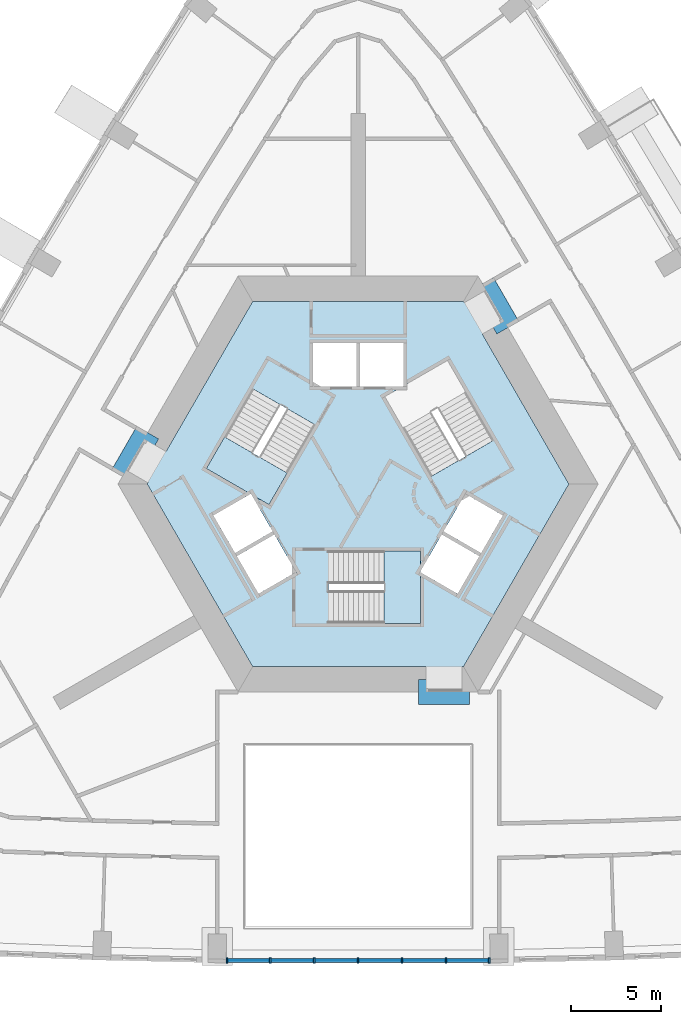
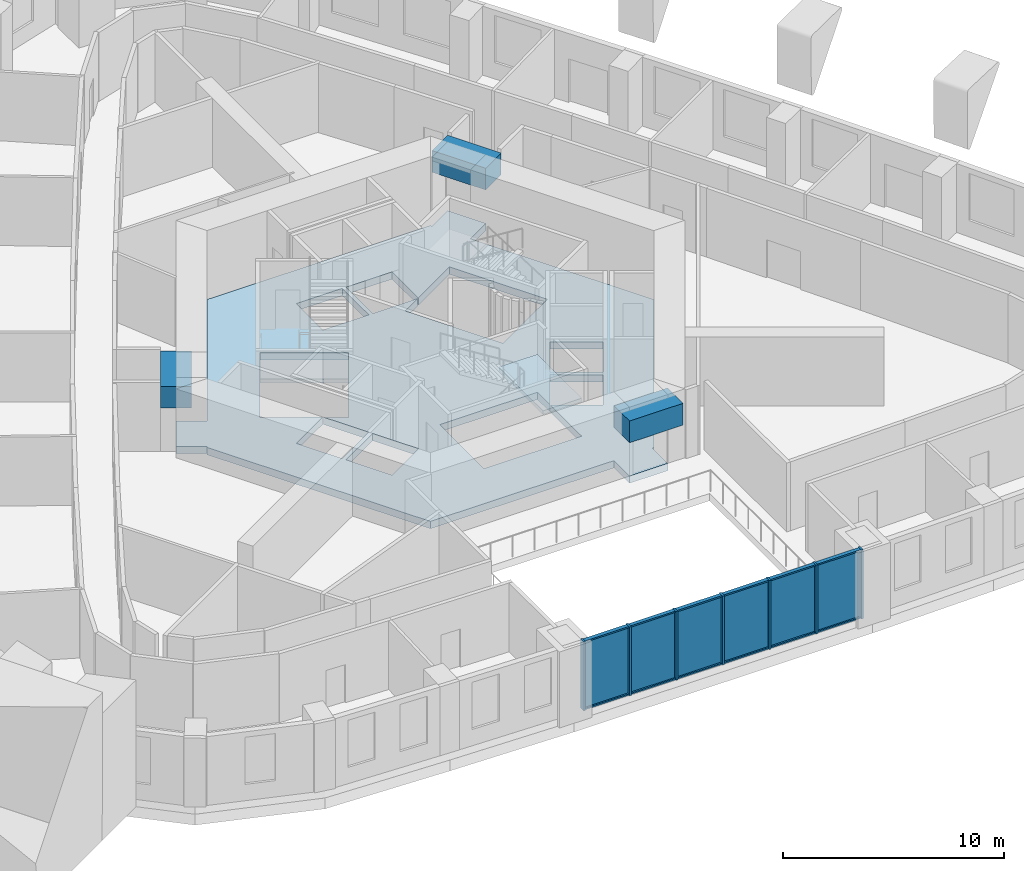
# One storey, part 2 of 13: 19 members, 6 plates, 3 beams, 3 slabs, 3 elements without a shape of their own.
"""IFC4 building model written with IfcOpenShell, lengths in metres."""

import ifcopenshell
import ifcopenshell.guid

model = None  # the IFC model being written
_history = None  # IfcOwnerHistory: only IFC2X3 demands one
_inside = {}  # id of a spatial element -> (the spatial element, [elements in it])
_under = {}  # id of a project, library or spatial element -> (it, [spatial elements below it])
_declared = {}  # id of a project -> (the project, [libraries it declares])
_typed = {}  # id of a type object -> (the type object, [elements of that type])
_made_of = {}  # id of a material, layer set ... -> (it, [elements and type objects made of it])


def new_model(schema):
    """Start an empty IFC model of exactly this schema.

    Asked for "IFC4X3", IfcOpenShell would pick the latest addendum, in which some entities
    have other attributes; the version numbers below select the first issue.
    IFC2X3 requires an IfcOwnerHistory on every rooted entity: one is made here for all.
    """
    global model, _history
    if schema == "IFC4X3":
        model = ifcopenshell.file(schema_version=(4, 3, 0, 0))
    else:
        model = ifcopenshell.file(schema=schema)
    _inside.clear()
    _under.clear()
    _declared.clear()
    _typed.clear()
    _made_of.clear()
    _history = None
    if model.schema == "IFC2X3":
        org = make("IfcOrganization", Name="unknown")
        user = make(
            "IfcPersonAndOrganization",
            ThePerson=make("IfcPerson", FamilyName="unknown"),
            TheOrganization=org,
        )
        app = make(
            "IfcApplication",
            ApplicationDeveloper=org,
            Version="unknown",
            ApplicationFullName="unknown",
            ApplicationIdentifier="unknown",
        )
        _history = make(
            "IfcOwnerHistory",
            OwningUser=user,
            OwningApplication=app,
            ChangeAction="ADDED",
            CreationDate=0,
        )
    return model


def make(cls, **values):
    """One entity of the class cls with the attributes given. An attribute that is None is left unset."""
    return model.create_entity(
        cls, **{name: value for name, value in values.items() if value is not None}
    )


def rooted(cls, **values):
    """An entity with a GlobalId (a new one), such as an element, a storey or a relation."""
    return make(cls, GlobalId=ifcopenshell.guid.new(), OwnerHistory=_history, **values)


def si_unit(unit_type, name, prefix=None):
    """IfcSIUnit, for example si_unit("LENGTHUNIT", "METRE", prefix="MILLI")."""
    return make("IfcSIUnit", UnitType=unit_type, Prefix=prefix, Name=name)


def assignment(units):
    """IfcUnitAssignment: the units of a project."""
    return None if units is None else make("IfcUnitAssignment", Units=units)


def point(xyz):
    """IfcCartesianPoint."""
    return None if xyz is None else make("IfcCartesianPoint", Coordinates=xyz)


def direction(xyz):
    """IfcDirection."""
    return None if xyz is None else make("IfcDirection", DirectionRatios=xyz)


def frame(location, z_axis=None, x_axis=None):
    """IfcAxis2Placement3D, a coordinate frame: its origin and axes. An axis left out is left unset."""
    return make(
        "IfcAxis2Placement3D",
        Location=point(location),
        Axis=direction(z_axis),
        RefDirection=direction(x_axis),
    )


def frame_2d(location, x_axis=None):
    """IfcAxis2Placement2D, a coordinate frame in the plane: its origin and x axis."""
    return make(
        "IfcAxis2Placement2D", Location=point(location), RefDirection=direction(x_axis)
    )


def origin():
    """The frame at (0, 0, 0) with its axes left unset."""
    return frame((0.0, 0.0, 0.0))


def origin_2d():
    """The frame at (0, 0) in the plane with its x axis left unset."""
    return frame_2d((0.0, 0.0))


def place(relative_to, where):
    """IfcLocalPlacement: puts the frame where relative to a parent placement (None: the world)."""
    return make(
        "IfcLocalPlacement", PlacementRelTo=relative_to, RelativePlacement=where
    )


def context(
    kind, dimensions, precision=None, world=None, true_north=None, identifier=None
):
    """IfcGeometricRepresentationContext, for example the 3D "Model" context."""
    return make(
        "IfcGeometricRepresentationContext",
        ContextIdentifier=identifier,
        ContextType=kind,
        CoordinateSpaceDimension=dimensions,
        Precision=precision,
        WorldCoordinateSystem=world,
        TrueNorth=true_north,
    )


def subcontext(parent, identifier, kind, view, scale=None):
    """IfcGeometricRepresentationSubContext, for example "Body" below "Model"."""
    return make(
        "IfcGeometricRepresentationSubContext",
        ContextIdentifier=identifier,
        ContextType=kind,
        ParentContext=parent,
        TargetScale=scale,
        TargetView=view,
    )


def project(units=None, contexts=None):
    """IfcProject with its units and contexts."""
    return rooted(
        "IfcProject",
        Name="project",
        RepresentationContexts=contexts,
        UnitsInContext=assignment(units),
    )


def spatial(cls, under=None, at=None, **own):
    """A site, building, storey or space (cls), placed at a placement, below another one or the project."""
    s = rooted(cls, ObjectPlacement=at, **own)
    if under is not None:
        _under.setdefault(under.id(), (under, []))[1].append(s)
    return s


def polyline(points):
    """IfcPolyline through the points."""
    return make("IfcPolyline", Points=[point(p) for p in points])


def profile(cls, at=None, kind="AREA", **sizes):
    """A parametric profile (cls). Its sizes go by their IFC names, for example OverallWidth=200.0."""
    return make(cls, ProfileType=kind, Position=at, **sizes)


def rectangle(**sizes):
    """IfcRectangleProfileDef."""
    return profile("IfcRectangleProfileDef", **sizes)


def outline(outer, holes=None, kind="AREA"):
    """IfcArbitraryClosedProfileDef: a profile drawn as a closed curve; with holes, ...WithVoids."""
    if holes is None:
        return make("IfcArbitraryClosedProfileDef", ProfileType=kind, OuterCurve=outer)
    return make(
        "IfcArbitraryProfileDefWithVoids",
        ProfileType=kind,
        OuterCurve=outer,
        InnerCurves=holes,
    )


def extrude(swept, where, along, depth):
    """IfcExtrudedAreaSolid: the profile swept, set in the frame where, extruded along a direction by depth."""
    return make(
        "IfcExtrudedAreaSolid",
        SweptArea=swept,
        Position=where,
        ExtrudedDirection=direction(along),
        Depth=depth,
    )


def shape(context_of_items, identifier, shape_type, items):
    """IfcShapeRepresentation: the items that make up one representation, for example the "Body"."""
    return make(
        "IfcShapeRepresentation",
        ContextOfItems=context_of_items,
        RepresentationIdentifier=identifier,
        RepresentationType=shape_type,
        Items=items,
    )


def material(Name=None, Category=None):
    """IfcMaterial."""
    return make("IfcMaterial", Name=Name, Category=Category)


def layer(
    of_material, thickness, ventilated=None, Name=None, Category=None, Priority=None
):
    """IfcMaterialLayer: one layer of a wall or slab, of a material (None: an air gap)."""
    return make(
        "IfcMaterialLayer",
        Material=of_material,
        LayerThickness=thickness,
        IsVentilated=ventilated,
        Name=Name,
        Category=Category,
        Priority=Priority,
    )


def layer_set(layers, Name=None):
    """IfcMaterialLayerSet."""
    return make("IfcMaterialLayerSet", MaterialLayers=layers, LayerSetName=Name)


def material_profile(
    of_material, cross_section, Name=None, Category=None, Priority=None
):
    """IfcMaterialProfile: a cross section and its material."""
    return make(
        "IfcMaterialProfile",
        Name=Name,
        Material=of_material,
        Profile=cross_section,
        Priority=Priority,
        Category=Category,
    )


def profile_set(profiles, Name=None, composite=None):
    """IfcMaterialProfileSet."""
    return make(
        "IfcMaterialProfileSet",
        Name=Name,
        MaterialProfiles=profiles,
        CompositeProfile=composite,
    )


def made_of(thing, what):
    """Note that an element or type object is made of a material, layer set ...; save() writes the relation."""
    if what is not None:
        _made_of.setdefault(what.id(), (what, []))[1].append(thing)
    return thing


def type_object(cls, material=None, **own):
    """A type object (cls), such as IfcWallType, which elements share."""
    return made_of(rooted(cls, **own), material)


def element(
    cls,
    number,
    at=None,
    inside=None,
    cuts=None,
    type_object=None,
    material=None,
    context=None,
    identifier="Body",
    shape_type=None,
    held_by="IfcProductDefinitionShape",
    body=None,
    shapes=None,
    **own,
):
    """One element of the class cls, such as IfcWall. Its Tag is "e" and its number.

    at: its placement. inside: the storey or other place that contains it. cuts: it is an
    opening in that element (IfcRelVoidsElement). A single representation is given by context,
    identifier, shape_type and body (its items); several are given by shapes. held_by: the class
    of the entity that holds the representations. save() writes the other relations.
    """
    e = rooted(cls, Tag="e%d" % number, ObjectPlacement=at, **own)
    if body is not None:
        shapes = [shape(context, identifier, shape_type, body)]
    if shapes is not None:
        e.Representation = make(held_by, Representations=shapes)
    if inside is not None:
        _inside.setdefault(inside.id(), (inside, []))[1].append(e)
    if cuts is not None:
        rooted(
            "IfcRelVoidsElement", RelatingBuildingElement=cuts, RelatedOpeningElement=e
        )
    if type_object is not None:
        _typed.setdefault(type_object.id(), (type_object, []))[1].append(e)
    return made_of(e, material)


def aggregate(whole, parts):
    """IfcRelAggregates: a whole, such as a stair, and the parts it consists of."""
    return rooted("IfcRelAggregates", RelatingObject=whole, RelatedObjects=parts)


def save(model, path):
    """Write the relations noted so far, then the file.

    IfcRelAggregates (storeys below a building ...), IfcRelContainedInSpatialStructure (elements
    in a storey), IfcRelDefinesByType, IfcRelAssociatesMaterial and IfcRelDeclares: one each for
    every whole, place, type object, material and project.
    """
    for whole, parts in _under.values():
        aggregate(whole, parts)
    for where, things in _inside.values():
        rooted(
            "IfcRelContainedInSpatialStructure",
            RelatedElements=things,
            RelatingStructure=where,
        )
    for kind, things in _typed.values():
        rooted("IfcRelDefinesByType", RelatedObjects=things, RelatingType=kind)
    for what, things in _made_of.values():
        rooted("IfcRelAssociatesMaterial", RelatedObjects=things, RelatingMaterial=what)
    for by, libraries in _declared.values():
        rooted("IfcRelDeclares", RelatingContext=by, RelatedDefinitions=libraries)
    model.write(path)


model = new_model("IFC4")

# Units and contexts
model_context = context("Model", 3, precision=1e-05, world=origin(), true_north=direction((0.0, 1.0)))
body_context = subcontext(model_context, "Body", "Model", "MODEL_VIEW")
ifc_project = project(units=[si_unit("LENGTHUNIT", "METRE"), si_unit("AREAUNIT", "SQUARE_METRE"), si_unit("VOLUMEUNIT", "CUBIC_METRE"), si_unit("PLANEANGLEUNIT", "RADIAN"), si_unit("MASSUNIT", "GRAM", prefix="KILO")], contexts=[model_context])

# Site, building, storey
site_placement = place(None, origin())
site = spatial("IfcSite", under=ifc_project, at=site_placement, CompositionType="ELEMENT")
building_placement = place(site_placement, origin())
building = spatial("IfcBuilding", under=site, at=building_placement, Name="Entoto Arch Interchange Tower", CompositionType="ELEMENT")
storey_placement = place(building_placement, frame((0.0, 0.0, 227.60009765625)))
storey = spatial("IfcBuildingStorey", under=building, at=storey_placement, Name="L51", CompositionType="ELEMENT", Elevation=227.60009765625)

# Beams
ifc_material_1 = material(Name="Concrete C50/60", Category="concrete")
ifc_material_profile_1 = material_profile(ifc_material_1, rectangle(XDim=1.39990234375, YDim=1.199951171875, at=origin_2d()))
ifc_profile_set_1 = profile_set([ifc_material_profile_1], Name="Concrete C50/60")
beam_type = type_object("IfcBeamType", Name="Coupling beam RC 1400x1200 C50/60", PredefinedType="BEAM", material=ifc_profile_set_1)
for number, where, z_axis, x_axis, name in (
    (1, (8.283935546875, 11.152099609375, 3.0), (-0.500135180047, 0.865947343479, 0.0), (-0.865947343479, -0.500135180047, 0.0), "Coupling beam NE L51"),
    (2, (-11.634033203125, 5.347900390625, 3.0), (-0.500135180047, -0.865947343479, 0.0), (0.865947343479, -0.500135180047, 0.0), "Coupling beam NW L51"),
):
    element("IfcBeam", number, at=place(storey_placement, frame(where, z_axis=z_axis, x_axis=x_axis)), inside=storey, type_object=beam_type, Name=name, PredefinedType="BEAM", context=body_context, shape_type="SweptSolid", body=[
        extrude(rectangle(XDim=1.39990234375, YDim=1.199951171875, at=origin_2d()), origin(), (0.0, 0.0, 1.0), 2.799072265625),
    ])
beam_placement = place(storey_placement, frame((3.35009765625, -9.0, 3.0), z_axis=(1.0, 0.0, 0.0), x_axis=(0.0, 1.0, 0.0)))
element("IfcBeam", 3, at=beam_placement, inside=storey, type_object=beam_type, Name="Coupling beam S L51", PredefinedType="BEAM", context=body_context, shape_type="SweptSolid", body=[
    extrude(rectangle(XDim=1.39990234375, YDim=1.199951171875, at=origin_2d()), origin(), (0.0, 0.0, 1.0), 2.7998046875),
])

# Curtain wall, members
ifc_material_2 = material(Name="Aluminium, anodised", Category="aluminium")
curtain_wall_type = type_object("IfcCurtainWallType", Name="CURTAIN WALL ATRIUM", PredefinedType="NOTDEFINED", material=ifc_material_2)
curtain_wall_placement = place(storey_placement, origin())
curtain_wall = element("IfcCurtainWall", 4, at=curtain_wall_placement, inside=storey, type_object=curtain_wall_type, Name="Atrium glazing S-03 L51", PredefinedType="NOTDEFINED")
ifc_material_profile_2 = material_profile(ifc_material_2, rectangle(XDim=0.300048828125, YDim=0.10009765625, at=origin_2d()))
ifc_profile_set_2 = profile_set([ifc_material_profile_2], Name="Aluminium, anodised")
member_type_1 = type_object("IfcMemberType", Name="MULLION ATRIUM 100x300", PredefinedType="MULLION", material=ifc_profile_set_2)
member_1_placement = place(storey_placement, frame((-7.2490234375, -23.85302734375, 0.0), z_axis=(0.0, 0.0, 1.0), x_axis=(0.0, 1.0, 0.0)))
member_1 = element("IfcMember", 5, at=member_1_placement, type_object=member_type_1, Name="CWA mullion 1", PredefinedType="MULLION", context=body_context, shape_type="SweptSolid", body=[
    extrude(rectangle(XDim=0.300048828125, YDim=0.10009765625, at=origin_2d()), origin(), (0.0, 0.0, 1.0), 3.7998046875),
])
member_2_placement = place(storey_placement, frame((-4.865966796875, -23.85302734375, 0.0), z_axis=(0.0, 0.0, 1.0), x_axis=(0.0, 1.0, 0.0)))
member_2 = element("IfcMember", 6, at=member_2_placement, type_object=member_type_1, Name="CWA mullion 2", PredefinedType="MULLION", context=body_context, shape_type="SweptSolid", body=[
    extrude(rectangle(XDim=0.300048828125, YDim=0.10009765625, at=origin_2d()), origin(), (0.0, 0.0, 1.0), 3.7998046875),
])
member_3_placement = place(storey_placement, frame((-2.43310546875, -23.85302734375, 0.0), z_axis=(0.0, 0.0, 1.0), x_axis=(0.0, 1.0, 0.0)))
member_3 = element("IfcMember", 7, at=member_3_placement, type_object=member_type_1, Name="CWA mullion 3", PredefinedType="MULLION", context=body_context, shape_type="SweptSolid", body=[
    extrude(rectangle(XDim=0.300048828125, YDim=0.10009765625, at=origin_2d()), origin(), (0.0, 0.0, 1.0), 3.7998046875),
])
member_4_placement = place(storey_placement, frame((0.0, -23.85302734375, 0.0), z_axis=(0.0, 0.0, 1.0), x_axis=(0.0, 1.0, 0.0)))
member_4 = element("IfcMember", 8, at=member_4_placement, type_object=member_type_1, Name="CWA mullion 4", PredefinedType="MULLION", context=body_context, shape_type="SweptSolid", body=[
    extrude(rectangle(XDim=0.300048828125, YDim=0.10009765625, at=origin_2d()), origin(), (0.0, 0.0, 1.0), 3.7998046875),
])
member_5_placement = place(storey_placement, frame((2.43310546875, -23.85302734375, 0.0), z_axis=(0.0, 0.0, 1.0), x_axis=(0.0, 1.0, 0.0)))
member_5 = element("IfcMember", 9, at=member_5_placement, type_object=member_type_1, Name="CWA mullion 5", PredefinedType="MULLION", context=body_context, shape_type="SweptSolid", body=[
    extrude(rectangle(XDim=0.300048828125, YDim=0.10009765625, at=origin_2d()), origin(), (0.0, 0.0, 1.0), 3.7998046875),
])
member_6_placement = place(storey_placement, frame((4.865966796875, -23.85302734375, 0.0), z_axis=(0.0, 0.0, 1.0), x_axis=(0.0, 1.0, 0.0)))
member_6 = element("IfcMember", 10, at=member_6_placement, type_object=member_type_1, Name="CWA mullion 6", PredefinedType="MULLION", context=body_context, shape_type="SweptSolid", body=[
    extrude(rectangle(XDim=0.300048828125, YDim=0.10009765625, at=origin_2d()), origin(), (0.0, 0.0, 1.0), 3.7998046875),
])
member_7_placement = place(storey_placement, frame((7.2490234375, -23.85302734375, 0.0), z_axis=(0.0, 0.0, 1.0), x_axis=(0.0, 1.0, 0.0)))
member_7 = element("IfcMember", 11, at=member_7_placement, type_object=member_type_1, Name="CWA mullion 7", PredefinedType="MULLION", context=body_context, shape_type="SweptSolid", body=[
    extrude(rectangle(XDim=0.300048828125, YDim=0.10009765625, at=origin_2d()), origin(), (0.0, 0.0, 1.0), 3.7998046875),
])
ifc_material_profile_3 = material_profile(ifc_material_2, rectangle(XDim=0.199951171875, YDim=0.080078125, at=origin_2d()))
ifc_profile_set_3 = profile_set([ifc_material_profile_3], Name="Aluminium, anodised")
member_type_2 = type_object("IfcMemberType", Name="TRANSOM ATRIUM 80x200", PredefinedType="USERDEFINED", material=ifc_profile_set_3)
member_8_placement = place(storey_placement, frame((-7.198974609375, -23.85302734375, 0.039794921875), z_axis=(1.0, 0.0, 0.0), x_axis=(0.0, 1.0, 0.0)))
member_8 = element("IfcMember", 12, at=member_8_placement, type_object=member_type_2, Name="CWA transom 1.1", ObjectType="TRANSOM", PredefinedType="USERDEFINED", context=body_context, shape_type="SweptSolid", body=[
    extrude(rectangle(XDim=0.199951171875, YDim=0.080078125, at=origin_2d()), origin(), (0.0, 0.0, 1.0), 2.282958984375),
])
member_9_placement = place(storey_placement, frame((-7.198974609375, -23.85302734375, 3.760009765625), z_axis=(1.0, 0.0, 0.0), x_axis=(0.0, 1.0, 0.0)))
member_9 = element("IfcMember", 13, at=member_9_placement, type_object=member_type_2, Name="CWA transom 1.2", ObjectType="TRANSOM", PredefinedType="USERDEFINED", context=body_context, shape_type="SweptSolid", body=[
    extrude(rectangle(XDim=0.199951171875, YDim=0.080078125, at=origin_2d()), origin(), (0.0, 0.0, 1.0), 2.282958984375),
])
member_10_placement = place(storey_placement, frame((-4.81591796875, -23.85302734375, 0.039794921875), z_axis=(1.0, 0.0, 0.0), x_axis=(0.0, 1.0, 0.0)))
member_10 = element("IfcMember", 14, at=member_10_placement, type_object=member_type_2, Name="CWA transom 2.1", ObjectType="TRANSOM", PredefinedType="USERDEFINED", context=body_context, shape_type="SweptSolid", body=[
    extrude(rectangle(XDim=0.199951171875, YDim=0.080078125, at=origin_2d()), origin(), (0.0, 0.0, 1.0), 2.3330078125),
])
member_11_placement = place(storey_placement, frame((-4.81591796875, -23.85302734375, 3.760009765625), z_axis=(1.0, 0.0, 0.0), x_axis=(0.0, 1.0, 0.0)))
member_11 = element("IfcMember", 15, at=member_11_placement, type_object=member_type_2, Name="CWA transom 2.2", ObjectType="TRANSOM", PredefinedType="USERDEFINED", context=body_context, shape_type="SweptSolid", body=[
    extrude(rectangle(XDim=0.199951171875, YDim=0.080078125, at=origin_2d()), origin(), (0.0, 0.0, 1.0), 2.3330078125),
])
member_12_placement = place(storey_placement, frame((-2.383056640625, -23.85302734375, 0.039794921875), z_axis=(1.0, 0.0, 0.0), x_axis=(0.0, 1.0, 0.0)))
member_12 = element("IfcMember", 16, at=member_12_placement, type_object=member_type_2, Name="CWA transom 3.1", ObjectType="TRANSOM", PredefinedType="USERDEFINED", context=body_context, shape_type="SweptSolid", body=[
    extrude(rectangle(XDim=0.199951171875, YDim=0.080078125, at=origin_2d()), origin(), (0.0, 0.0, 1.0), 2.3330078125),
])
member_13_placement = place(storey_placement, frame((-2.383056640625, -23.85302734375, 3.760009765625), z_axis=(1.0, 0.0, 0.0), x_axis=(0.0, 1.0, 0.0)))
member_13 = element("IfcMember", 17, at=member_13_placement, type_object=member_type_2, Name="CWA transom 3.2", ObjectType="TRANSOM", PredefinedType="USERDEFINED", context=body_context, shape_type="SweptSolid", body=[
    extrude(rectangle(XDim=0.199951171875, YDim=0.080078125, at=origin_2d()), origin(), (0.0, 0.0, 1.0), 2.3330078125),
])
member_14_placement = place(storey_placement, frame((0.050048828125, -23.85302734375, 0.039794921875), z_axis=(1.0, 0.0, 0.0), x_axis=(0.0, 1.0, 0.0)))
member_14 = element("IfcMember", 18, at=member_14_placement, type_object=member_type_2, Name="CWA transom 4.1", ObjectType="TRANSOM", PredefinedType="USERDEFINED", context=body_context, shape_type="SweptSolid", body=[
    extrude(rectangle(XDim=0.199951171875, YDim=0.080078125, at=origin_2d()), origin(), (0.0, 0.0, 1.0), 2.3330078125),
])
member_15_placement = place(storey_placement, frame((0.050048828125, -23.85302734375, 3.760009765625), z_axis=(1.0, 0.0, 0.0), x_axis=(0.0, 1.0, 0.0)))
member_15 = element("IfcMember", 19, at=member_15_placement, type_object=member_type_2, Name="CWA transom 4.2", ObjectType="TRANSOM", PredefinedType="USERDEFINED", context=body_context, shape_type="SweptSolid", body=[
    extrude(rectangle(XDim=0.199951171875, YDim=0.080078125, at=origin_2d()), origin(), (0.0, 0.0, 1.0), 2.3330078125),
])
member_16_placement = place(storey_placement, frame((2.48291015625, -23.85302734375, 0.039794921875), z_axis=(1.0, 0.0, 0.0), x_axis=(0.0, 1.0, 0.0)))
member_16 = element("IfcMember", 20, at=member_16_placement, type_object=member_type_2, Name="CWA transom 5.1", ObjectType="TRANSOM", PredefinedType="USERDEFINED", context=body_context, shape_type="SweptSolid", body=[
    extrude(rectangle(XDim=0.199951171875, YDim=0.080078125, at=origin_2d()), origin(), (0.0, 0.0, 1.0), 2.3330078125),
])
member_17_placement = place(storey_placement, frame((2.48291015625, -23.85302734375, 3.760009765625), z_axis=(1.0, 0.0, 0.0), x_axis=(0.0, 1.0, 0.0)))
member_17 = element("IfcMember", 21, at=member_17_placement, type_object=member_type_2, Name="CWA transom 5.2", ObjectType="TRANSOM", PredefinedType="USERDEFINED", context=body_context, shape_type="SweptSolid", body=[
    extrude(rectangle(XDim=0.199951171875, YDim=0.080078125, at=origin_2d()), origin(), (0.0, 0.0, 1.0), 2.3330078125),
])
member_18_placement = place(storey_placement, frame((4.916015625, -23.85302734375, 0.039794921875), z_axis=(1.0, 0.0, 0.0), x_axis=(0.0, 1.0, 0.0)))
member_18 = element("IfcMember", 22, at=member_18_placement, type_object=member_type_2, Name="CWA transom 6.1", ObjectType="TRANSOM", PredefinedType="USERDEFINED", context=body_context, shape_type="SweptSolid", body=[
    extrude(rectangle(XDim=0.199951171875, YDim=0.080078125, at=origin_2d()), origin(), (0.0, 0.0, 1.0), 2.282958984375),
])
member_19_placement = place(storey_placement, frame((4.916015625, -23.85302734375, 3.760009765625), z_axis=(1.0, 0.0, 0.0), x_axis=(0.0, 1.0, 0.0)))
member_19 = element("IfcMember", 23, at=member_19_placement, type_object=member_type_2, Name="CWA transom 6.2", ObjectType="TRANSOM", PredefinedType="USERDEFINED", context=body_context, shape_type="SweptSolid", body=[
    extrude(rectangle(XDim=0.199951171875, YDim=0.080078125, at=origin_2d()), origin(), (0.0, 0.0, 1.0), 2.282958984375),
])

# Slab
ifc_material_3 = material(Name="Concrete C40/50", Category="concrete")
ifc_layer_1 = layer(ifc_material_3, 0.39990234375)
ifc_layer_set_1 = layer_set([ifc_layer_1], Name="Concrete C40/50")
slab_type_1 = type_object("IfcSlabType", Name="Core floor slab 400 C40/50", PredefinedType="FLOOR", material=ifc_layer_set_1)
slab_1_placement = place(storey_placement, frame((0.0, 0.0, -0.400146484375)))
element("IfcSlab", 24, at=slab_1_placement, inside=storey, type_object=slab_type_1, Name="Core floor slab L51", PredefinedType="FLOOR", context=body_context, shape_type="SweptSolid", body=[
    extrude(outline(polyline([(5.75, -9.0), (3.75, -9.0), (3.75, -7.60009765625), (-5.8310546875, -7.60009765625), (-11.662109375, 2.5), (-11.6220703125, 2.570068359375), (-12.833984375, 3.27001953125), (-11.833984375, 5.001953125), (-10.6220703125, 4.302001953125), (-5.8310546875, 12.60009765625), (5.8310546875, 12.60009765625), (5.87109375, 12.530029296875), (7.083984375, 13.22998046875), (8.083984375, 11.498046875), (6.87109375, 10.798095703125), (11.662109375, 2.5), (5.8310546875, -7.60009765625), (5.75, -7.60009765625), (5.75, -9.0)]), holes=[polyline([(-1.64990234375, -5.199951171875), (3.449951171875, -5.199951171875), (3.449951171875, -2.3779296875), (5.5048828125, -3.56494140625), (6.705078125, -1.487060546875), (4.626953125, -0.287109375), (3.449951171875, -2.324951171875), (3.449951171875, -1.199951171875), (-1.64990234375, -1.199951171875), (-1.64990234375, -5.199951171875)]), polyline([(-4.626953125, -0.287109375), (-6.705078125, -1.487060546875), (-5.5048828125, -3.56494140625), (-3.427001953125, -2.364990234375), (-4.626953125, -0.287109375)]), polyline([(-5.904052734375, 1.925048828125), (-4.928955078125, 1.362060546875), (-2.37890625, 5.779052734375), (-5.843017578125, 7.779052734375), (-8.39306640625, 3.362060546875), (-5.949951171875, 1.951904296875), (-8.0048828125, 0.764892578125), (-6.804931640625, -1.31298828125), (-4.72705078125, -0.113037109375), (-5.904052734375, 1.925048828125)]), polyline([(4.72705078125, -0.113037109375), (6.804931640625, -1.31298828125), (8.0048828125, 0.764892578125), (5.927001953125, 1.965087890625), (4.72705078125, -0.113037109375)]), polyline([(2.5, 7.927001953125), (2.5, 10.300048828125), (0.10009765625, 10.300048828125), (0.10009765625, 7.89990234375), (2.452880859375, 7.89990234375), (1.47900390625, 7.337890625), (4.029052734375, 2.9208984375), (7.492919921875, 4.9208984375), (4.943115234375, 9.337890625), (2.5, 7.927001953125)]), polyline([(-2.5, 7.89990234375), (-0.10009765625, 7.89990234375), (-0.10009765625, 10.300048828125), (-2.5, 10.300048828125), (-2.5, 7.89990234375)])]), origin(), (0.0, 0.0, 1.0), 0.400146484375),
])

# Stair, slab
stair_type = type_object("IfcStairType", Name="EXIT STAIR RC 1800", PredefinedType="HALF_TURN_STAIR", material=ifc_material_3)
stair_1_placement = place(storey_placement, origin())
stair_1 = element("IfcStair", 25, at=stair_1_placement, inside=storey, type_object=stair_type, Name="L51 Exit stair S", PredefinedType="HALF_TURN_STAIR")
ifc_layer_2 = layer(ifc_material_3, 0.199951171875)
ifc_layer_set_2 = layer_set([ifc_layer_2], Name="Concrete C40/50")
slab_type_2 = type_object("IfcSlabType", Name="EXIT STAIR LANDING RC 200", PredefinedType="LANDING", material=ifc_layer_set_2)
slab_2_placement = place(storey_placement, frame((0.0, 0.0, 1.89990234375)))
slab_2 = element("IfcSlab", 26, at=slab_2_placement, type_object=slab_type_2, Name="ST-S landing 1", PredefinedType="LANDING", context=body_context, shape_type="SweptSolid", body=[
    extrude(outline(polyline([(1.429931640625, -5.199951171875), (3.449951171875, -5.199951171875), (3.449951171875, -1.199951171875), (1.429931640625, -1.199951171875), (1.429931640625, -5.199951171875)])), origin(), (0.0, 0.0, 1.0), 0.199951171875),
])
aggregate(stair_1, [slab_2])

stair_2_placement = place(storey_placement, origin())
stair_2 = element("IfcStair", 27, at=stair_2_placement, inside=storey, type_object=stair_type, Name="L51 Exit stair NW", PredefinedType="HALF_TURN_STAIR")
slab_3_placement = place(storey_placement, frame((0.0, 0.0, 1.89990234375)))
slab_3 = element("IfcSlab", 28, at=slab_3_placement, type_object=slab_type_2, Name="ST-NW landing 1", PredefinedType="LANDING", context=body_context, shape_type="SweptSolid", body=[
    extrude(outline(polyline([(-7.38330078125, 5.111572265625), (-8.393310546875, 3.3623046875), (-4.92919921875, 1.3623046875), (-3.919189453125, 3.111572265625), (-7.38330078125, 5.111572265625)])), origin(), (0.0, 0.0, 1.0), 0.199951171875),
])
aggregate(stair_2, [slab_3])

# Plate
ifc_material_4 = material(Name="Clear glass, low-e double glazed", Category="glass")
ifc_layer_3 = layer(ifc_material_4, 0.031982421875)
ifc_layer_set_3 = layer_set([ifc_layer_3], Name="Clear glass, low-e double glazed")
plate_type = type_object("IfcPlateType", Name="GLAZING PANEL ATRIUM 32", PredefinedType="CURTAIN_PANEL", material=ifc_layer_set_3)
plate_1_placement = place(storey_placement, frame((-6.0576171875, -23.85302734375, 0.080078125), z_axis=(0.0, 0.0, 1.0), x_axis=(1.0, 0.0, 0.0)))
plate_1 = element("IfcPlate", 29, at=plate_1_placement, type_object=plate_type, Name="CWA panel 1.1", PredefinedType="CURTAIN_PANEL", context=body_context, shape_type="SweptSolid", body=[
    extrude(rectangle(XDim=2.282958984375, YDim=0.031982421875, at=origin_2d()), origin(), (0.0, 0.0, 1.0), 3.639892578125),
])

plate_2_placement = place(storey_placement, frame((-3.6494140625, -23.85302734375, 0.080078125), z_axis=(0.0, 0.0, 1.0), x_axis=(1.0, 0.0, 0.0)))
plate_2 = element("IfcPlate", 30, at=plate_2_placement, type_object=plate_type, Name="CWA panel 2.1", PredefinedType="CURTAIN_PANEL", context=body_context, shape_type="SweptSolid", body=[
    extrude(rectangle(XDim=2.3330078125, YDim=0.031982421875, at=origin_2d()), origin(), (0.0, 0.0, 1.0), 3.639892578125),
])

plate_3_placement = place(storey_placement, frame((-1.216552734375, -23.85302734375, 0.080078125), z_axis=(0.0, 0.0, 1.0), x_axis=(1.0, 0.0, 0.0)))
plate_3 = element("IfcPlate", 31, at=plate_3_placement, type_object=plate_type, Name="CWA panel 3.1", PredefinedType="CURTAIN_PANEL", context=body_context, shape_type="SweptSolid", body=[
    extrude(rectangle(XDim=2.3330078125, YDim=0.031982421875, at=origin_2d()), origin(), (0.0, 0.0, 1.0), 3.639892578125),
])

plate_4_placement = place(storey_placement, frame((1.216552734375, -23.85302734375, 0.080078125), z_axis=(0.0, 0.0, 1.0), x_axis=(1.0, 0.0, 0.0)))
plate_4 = element("IfcPlate", 32, at=plate_4_placement, type_object=plate_type, Name="CWA panel 4.1", PredefinedType="CURTAIN_PANEL", context=body_context, shape_type="SweptSolid", body=[
    extrude(rectangle(XDim=2.3330078125, YDim=0.031982421875, at=origin_2d()), origin(), (0.0, 0.0, 1.0), 3.639892578125),
])

plate_5_placement = place(storey_placement, frame((3.6494140625, -23.85302734375, 0.080078125), z_axis=(0.0, 0.0, 1.0), x_axis=(1.0, 0.0, 0.0)))
plate_5 = element("IfcPlate", 33, at=plate_5_placement, type_object=plate_type, Name="CWA panel 5.1", PredefinedType="CURTAIN_PANEL", context=body_context, shape_type="SweptSolid", body=[
    extrude(rectangle(XDim=2.3330078125, YDim=0.031982421875, at=origin_2d()), origin(), (0.0, 0.0, 1.0), 3.639892578125),
])

plate_6_placement = place(storey_placement, frame((6.0576171875, -23.85302734375, 0.080078125), z_axis=(0.0, 0.0, 1.0), x_axis=(1.0, 0.0, 0.0)))
plate_6 = element("IfcPlate", 34, at=plate_6_placement, type_object=plate_type, Name="CWA panel 6.1", PredefinedType="CURTAIN_PANEL", context=body_context, shape_type="SweptSolid", body=[
    extrude(rectangle(XDim=2.282958984375, YDim=0.031982421875, at=origin_2d()), origin(), (0.0, 0.0, 1.0), 3.639892578125),
])

aggregate(curtain_wall, [member_1, member_2, member_3, member_4, member_5, member_6, member_7, member_8, member_9, plate_1, member_10, member_11, plate_2, member_12, member_13, plate_3, member_14, member_15, plate_4, member_16, member_17, plate_5, member_18, member_19, plate_6])

save(model, "model.ifc")
